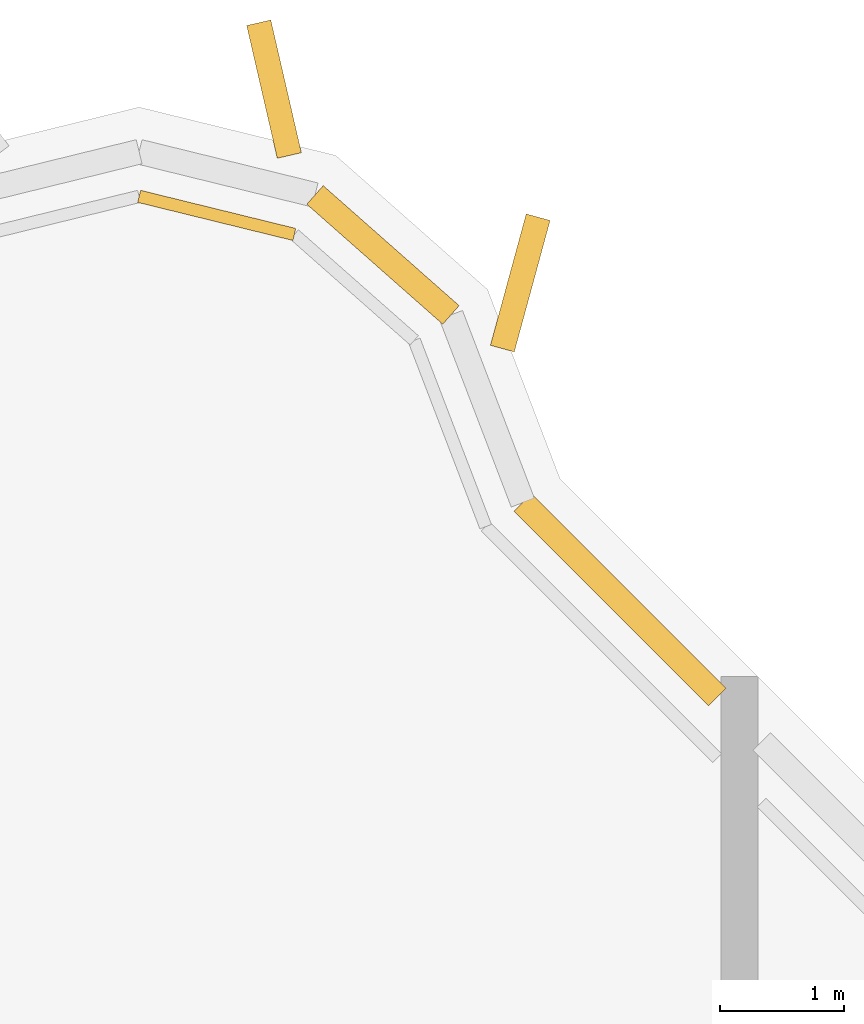
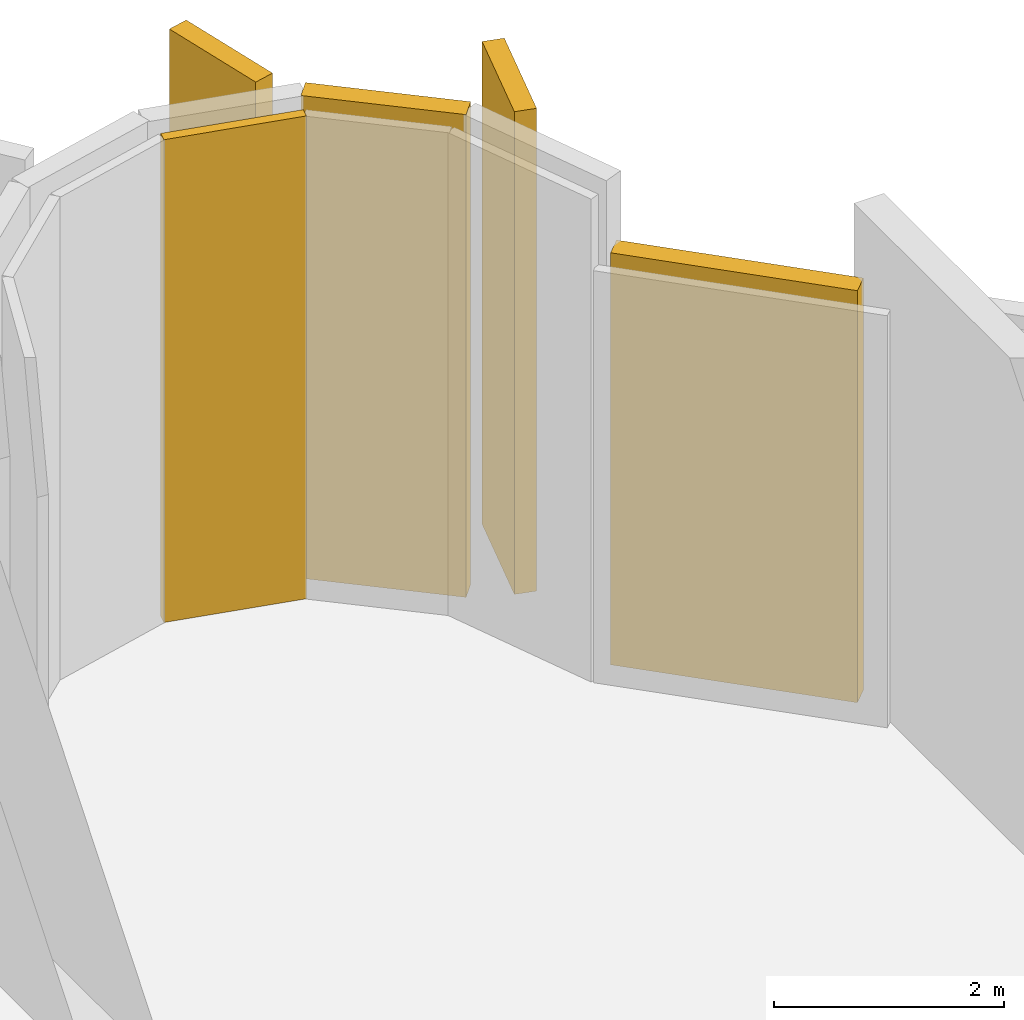
# One storey, part 11 of 11: 3 coverings, 2 shading devices.
"""IFC4 building model written with IfcOpenShell, lengths in metres."""

from ifc_helpers import new_model, si_unit, direction, frame, origin, origin_2d, place, context, subcontext, project, spatial, rectangle, extrude, source, transform, mapped, material, layer, layer_set, material_profile, profile_set, type_object, element, save


model = new_model("IFC4")

# Units and contexts
model_context = context("Model", 3, precision=1e-05, world=origin(), true_north=direction((0.0, 1.0)))
body_context = subcontext(model_context, "Body", "Model", "MODEL_VIEW")
ifc_project = project(units=[si_unit("LENGTHUNIT", "METRE"), si_unit("AREAUNIT", "SQUARE_METRE"), si_unit("VOLUMEUNIT", "CUBIC_METRE"), si_unit("PLANEANGLEUNIT", "RADIAN"), si_unit("MASSUNIT", "GRAM", prefix="KILO")], contexts=[model_context])

# Site, building, storey
site_placement = place(None, origin())
site = spatial("IfcSite", under=ifc_project, at=site_placement, CompositionType="ELEMENT")
building_placement = place(site_placement, origin())
building = spatial("IfcBuilding", under=site, at=building_placement, Name="Vanashikhar Sky Hotel", CompositionType="ELEMENT")
storey_placement = place(building_placement, frame((0.0, 0.0, 264.699951171875)))
storey = spatial("IfcBuildingStorey", under=building, at=storey_placement, Name="L64", CompositionType="ELEMENT", Elevation=264.699951171875)

# Shading device
ifc_material_1 = material(Name="Aluminium", Category="aluminium")
ifc_layer_1 = layer(ifc_material_1, 0.199951171875)
ifc_layer_set_1 = layer_set([ifc_layer_1], Name="Aluminium louvre band")
shading_device_type = type_object("IfcShadingDeviceType", Name="Aluminium louvre band", PredefinedType="USERDEFINED", material=ifc_layer_set_1)
shared_shape_1 = source(origin(), body_context, "Body", "SweptSolid", [
    extrude(rectangle(XDim=1.464599609375, YDim=0.199951171875, at=origin_2d()), origin(), (0.0, 0.0, 1.0), 5.1201171875),
])
shading_device_1_placement = place(storey_placement, frame((80.969970703125, 43.805908203125, 0.0), z_axis=(0.0, 0.0, 1.0), x_axis=(-0.749741606437, 0.661730703214, 0.0)))
element("IfcShadingDevice", 1, at=shading_device_1_placement, inside=storey, type_object=shading_device_type, Name="Louvre band", ObjectType="LOUVRE", PredefinedType="USERDEFINED", context=body_context, shape_type="MappedRepresentation", body=[
    mapped(shared_shape_1, transform((0.0, 0.0, 0.0), scale=1.0)),
])

# Coverings
ifc_material_2 = material(Name="Concrete M40", Category="concrete")
ifc_layer_2 = layer(ifc_material_2, 0.10009765625)
ifc_layer_set_2 = layer_set([ifc_layer_2], Name="Plant floor cladding panel")
covering_type_1 = type_object("IfcCoveringType", Name="Plant floor cladding panel", PredefinedType="CLADDING", material=ifc_layer_set_2)
shared_shape_2 = source(origin(), body_context, "Body", "SweptSolid", [
    extrude(rectangle(XDim=1.291015625, YDim=0.10009765625, at=origin_2d()), origin(), (0.0, 0.0, 1.0), 5.1201171875),
])
covering_placement = place(storey_placement, frame((79.626953125, 44.125244140625, 0.0), z_axis=(0.0, 0.0, 1.0), x_axis=(-0.97115093032, 0.238465659035, 0.0)))
element("IfcCovering", 2, at=covering_placement, inside=storey, type_object=covering_type_1, Name="Plant floor cladding panel", PredefinedType="CLADDING", context=body_context, shape_type="MappedRepresentation", body=[
    mapped(shared_shape_2, transform((0.0, 0.0, 0.0), scale=1.0)),
])
ifc_material_3 = material(Name="Concrete M60 dark", Category="concrete")
ifc_material_profile = material_profile(ifc_material_3, rectangle(XDim=1.10009765625, YDim=0.199951171875, at=origin_2d()))
ifc_profile_set = profile_set([ifc_material_profile], Name="Rear lobe fin 1100 x 200")
covering_type_2 = type_object("IfcCoveringType", Name="Rear lobe fin 1100 x 200", PredefinedType="CLADDING", material=ifc_profile_set)
shared_shape_3 = source(origin(), body_context, "Body", "SweptSolid", [
    extrude(rectangle(XDim=1.10009765625, YDim=0.199951171875, at=origin_2d()), origin(), (0.0, 0.0, 1.0), 5.1201171875),
])
for number, where, z_axis, x_axis, name in (
    (3, (80.08984375, 45.1455078125, 0.0), (0.0, 0.0, 1.0), (-0.224644935864, 0.974440687159, 0.0), "Fin R2-3"),
    (4, (82.0791015625, 43.580078125, 0.0), (0.0, 0.0, 1.0), (0.262711264409, 0.964874495234, 0.0), "Fin R2-4"),
):
    element("IfcCovering", number, at=place(storey_placement, frame(where, z_axis=z_axis, x_axis=x_axis)), inside=storey, type_object=covering_type_2, Name=name, PredefinedType="CLADDING", context=body_context, shape_type="MappedRepresentation", body=[
        mapped(shared_shape_3, transform((0.0, 0.0, 0.0), scale=1.0)),
    ])

# Shading device
shared_shape_4 = source(origin(), body_context, "Body", "SweptSolid", [
    extrude(rectangle(XDim=2.220703125, YDim=0.199951171875, at=origin_2d()), origin(), (0.0, 0.0, 1.0), 4.3701171875),
])
shading_device_2_placement = place(storey_placement, frame((82.885009765625, 41.02001953125, 0.0), z_axis=(0.0, 0.0, 1.0), x_axis=(-0.707106781187, 0.707106781187, 0.0)))
element("IfcShadingDevice", 5, at=shading_device_2_placement, inside=storey, type_object=shading_device_type, Name="Louvre band", ObjectType="LOUVRE", PredefinedType="USERDEFINED", context=body_context, shape_type="MappedRepresentation", body=[
    mapped(shared_shape_4, transform((0.0, 0.0, 0.0), scale=1.0)),
])

save(model, "model.ifc")
